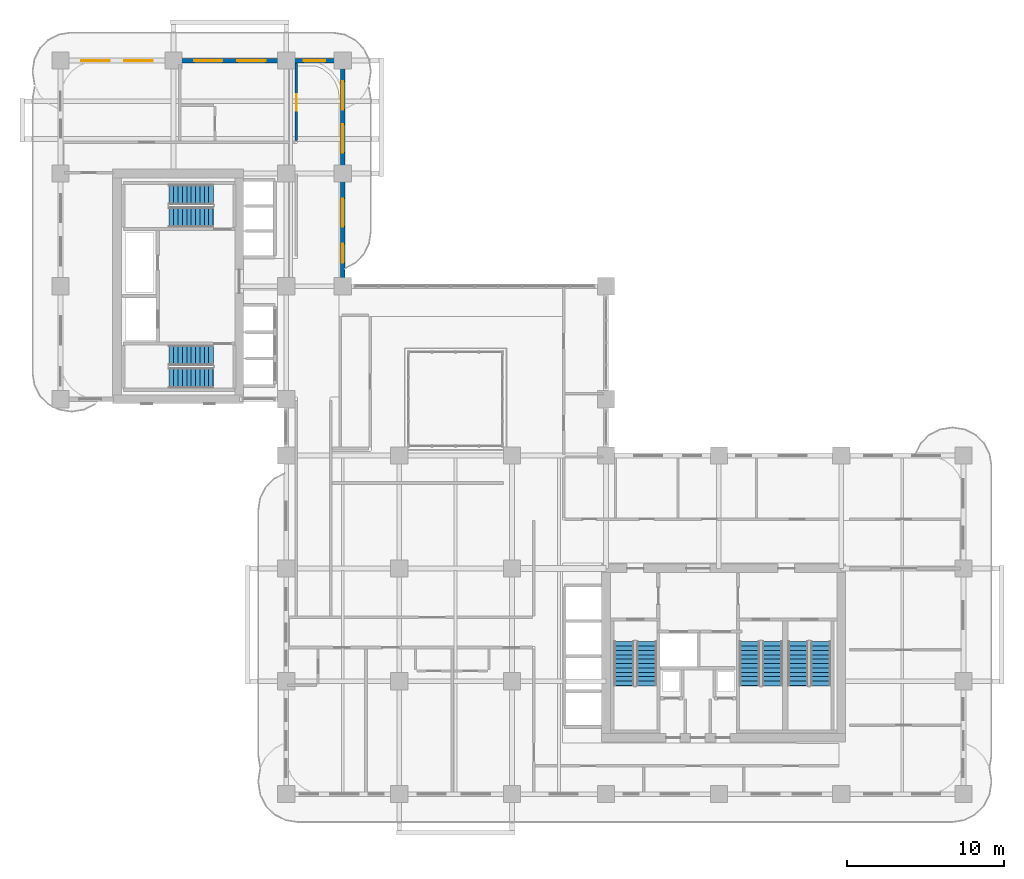
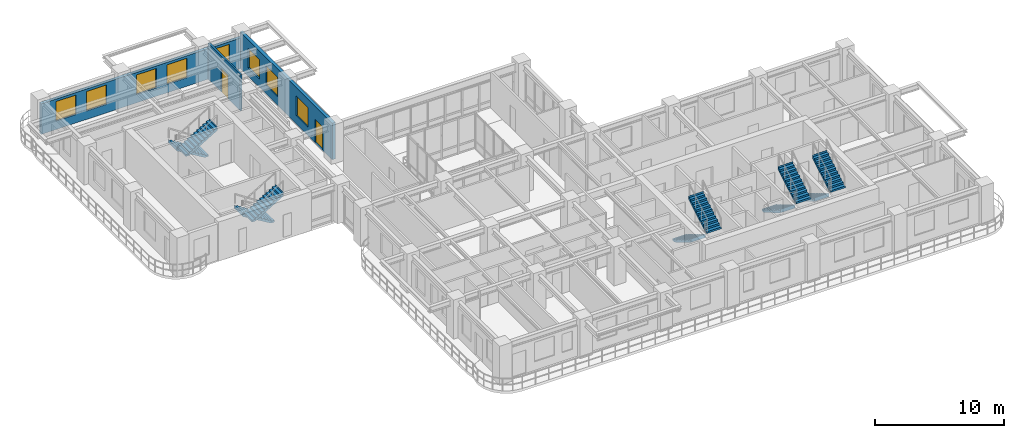
# One storey, part 17 of 22: 10 stair flights, 8 windows, 3 walls, 2 doors, 10 openings, 5 elements without a shape of their own.
"""IFC4 building model written with IfcOpenShell, lengths in metres."""

from ifc_helpers import new_model, si_unit, derived_unit, direction, frame, frame_2d, origin, place, context, subcontext, project, spatial, polyline, rectangle, outline, extrude, source, transform, mapped, material, layer, layer_set, type_object, type_shapes, element, fill, aggregate, save


model = new_model("IFC4")

# Units and contexts
model_context = context("Model", 3, precision=1e-05, world=origin(), true_north=direction((0.0, 1.0)))
body_context = subcontext(model_context, "Body", "Model", "MODEL_VIEW")
ifc_project = project(units=[si_unit("LENGTHUNIT", "METRE"), si_unit("AREAUNIT", "SQUARE_METRE"), si_unit("VOLUMEUNIT", "CUBIC_METRE"), si_unit("PLANEANGLEUNIT", "RADIAN"), si_unit("MASSUNIT", "GRAM", prefix="KILO"), si_unit("THERMODYNAMICTEMPERATUREUNIT", "KELVIN"), si_unit("POWERUNIT", "WATT"), derived_unit("THERMALTRANSMITTANCEUNIT", [(si_unit("POWERUNIT", "WATT"), 1), (si_unit("AREAUNIT", "SQUARE_METRE"), -1), (si_unit("THERMODYNAMICTEMPERATUREUNIT", "KELVIN"), -1)])], contexts=[model_context])

# Site, building, storey
site_placement = place(None, origin())
site = spatial("IfcSite", under=ifc_project, at=site_placement, CompositionType="ELEMENT")
building_placement = place(site_placement, origin())
building = spatial("IfcBuilding", under=site, at=building_placement, Name="Zahravan Archway Hotel and Residences", CompositionType="ELEMENT")
storey_placement = place(building_placement, frame((0.0, 0.0, 80.5)))
storey = spatial("IfcBuildingStorey", under=building, at=storey_placement, Name="L19", CompositionType="ELEMENT", Elevation=80.5)

# Wall, openings, windows
ifc_material_1 = material(Name="Honed Red-Ochre Sandstone & Insulated Block", Category="masonry")
ifc_layer_1 = layer(ifc_material_1, 0.280029296875, Name="Honed Red-Ochre Sandstone & Insulated Block", Category="masonry")
ifc_layer_set_1 = layer_set([ifc_layer_1], Name="Honed Red-Ochre Sandstone & Insulated Block")
wall_type_1 = type_object("IfcWallType", Name="EW-LOG-280", PredefinedType="SOLIDWALL", material=ifc_layer_set_1)
wall_1_placement = place(storey_placement, frame((0.0, 46.800048828125, 0.0), z_axis=(0.0, 0.0, 1.0), x_axis=(1.0, 0.0, 0.0)))
wall_1 = element("IfcWall", 1, at=wall_1_placement, inside=storey, type_object=wall_type_1, Name="L19 Exterior Sandstone Wall WB-N", PredefinedType="SOLIDWALL", context=body_context, shape_type="SweptSolid", body=[
    extrude(rectangle(XDim=18.0, YDim=0.280029296875, at=frame_2d((9.0, 0.0))), origin(), (0.0, 0.0, 1.0), 2.885009765625),
])
opening_1_placement = place(wall_1_placement, frame((1.324951171875, 0.0, 0.800048828125)))
opening_1 = element("IfcOpeningElement", 2, at=opening_1_placement, cuts=wall_1, Name="Opening W-02", PredefinedType="OPENING", context=body_context, shape_type="SweptSolid", body=[
    extrude(rectangle(XDim=1.800048828125, YDim=1.85009765625, at=frame_2d((0.89990234375, 0.925048828125))), frame((0.0, 0.14990234375, 0.0), z_axis=(0.0, -1.0, 0.0), x_axis=(1.0, 0.0, 0.0)), (0.0, 0.0, 1.0), 0.300048828125),
])
opening_2_placement = place(wall_1_placement, frame((4.074951171875, 0.0, 0.800048828125)))
opening_2 = element("IfcOpeningElement", 3, at=opening_2_placement, cuts=wall_1, Name="Opening W-02", PredefinedType="OPENING", context=body_context, shape_type="SweptSolid", body=[
    extrude(rectangle(XDim=1.800048828125, YDim=1.85009765625, at=frame_2d((0.89990234375, 0.925048828125))), frame((0.0, 0.14990234375, 0.0), z_axis=(0.0, -1.0, 0.0), x_axis=(1.0, 0.0, 0.0)), (0.0, 0.0, 1.0), 0.300048828125),
])
opening_3_placement = place(wall_1_placement, frame((8.52490234375, 0.0, 0.800048828125)))
opening_3 = element("IfcOpeningElement", 4, at=opening_3_placement, cuts=wall_1, Name="Opening W-02", PredefinedType="OPENING", context=body_context, shape_type="SweptSolid", body=[
    extrude(rectangle(XDim=1.800048828125, YDim=1.85009765625, at=frame_2d((0.89990234375, 0.925048828125))), frame((0.0, 0.14990234375, 0.0), z_axis=(0.0, -1.0, 0.0), x_axis=(1.0, 0.0, 0.0)), (0.0, 0.0, 1.0), 0.300048828125),
])
opening_4_placement = place(wall_1_placement, frame((11.27490234375, 0.0, 0.800048828125)))
opening_4 = element("IfcOpeningElement", 5, at=opening_4_placement, cuts=wall_1, Name="Opening W-02", PredefinedType="OPENING", context=body_context, shape_type="SweptSolid", body=[
    extrude(rectangle(XDim=1.800048828125, YDim=1.85009765625, at=frame_2d((0.89990234375, 0.925048828125))), frame((0.0, 0.14990234375, 0.0), z_axis=(0.0, -1.0, 0.0), x_axis=(1.0, 0.0, 0.0)), (0.0, 0.0, 1.0), 0.300048828125),
])
opening_5_placement = place(wall_1_placement, frame((15.5, 0.0, 0.800048828125)))
opening_5 = element("IfcOpeningElement", 6, at=opening_5_placement, cuts=wall_1, Name="Opening W-03", PredefinedType="OPENING", context=body_context, shape_type="SweptSolid", body=[
    extrude(rectangle(XDim=1.39990234375, YDim=1.85009765625, at=frame_2d((0.699951171875, 0.925048828125))), frame((0.0, 0.14990234375, 0.0), z_axis=(0.0, -1.0, 0.0), x_axis=(1.0, 0.0, 0.0)), (0.0, 0.0, 1.0), 0.300048828125),
])
ifc_material_2 = material(Name="Bronze-Anodized Thermal-Break Aluminium & Low-E Glass", Category="aluminium")
window_type_1 = type_object("IfcWindowType", Name="WIN-TWR-1400", PartitioningType="SINGLE_PANEL", PredefinedType="WINDOW", material=ifc_material_2)
shared_shape_1 = source(origin(), body_context, "Body", "SweptSolid", [
    extrude(rectangle(XDim=1.39990234375, YDim=1.85009765625, at=frame_2d((0.699951171875, 0.925048828125))), frame((0.0, 0.030029296875, 0.0), z_axis=(0.0, -1.0, 0.0), x_axis=(1.0, 0.0, 0.0)), (0.0, 0.0, 1.0), 0.06005859375),
])
type_shapes(window_type_1, [shared_shape_1])
window_1_placement = place(opening_5_placement, origin())
window_1 = element("IfcWindow", 7, at=window_1_placement, inside=storey, type_object=window_type_1, Name="L19 Loggia Window 38", OverallHeight=1.85009765625, OverallWidth=1.39990234375, PartitioningType="SINGLE_PANEL", PredefinedType="WINDOW", context=body_context, shape_type="MappedRepresentation", body=[
    mapped(shared_shape_1, transform((0.0, 0.0, 0.0), scale=1.0)),
])
fill(opening_5, window_1)
window_type_2 = type_object("IfcWindowType", Name="WIN-TWR-1800", PartitioningType="DOUBLE_PANEL_VERTICAL", PredefinedType="WINDOW", material=ifc_material_2)
shared_shape_2 = source(origin(), body_context, "Body", "SweptSolid", [
    extrude(rectangle(XDim=1.800048828125, YDim=1.85009765625, at=frame_2d((0.89990234375, 0.925048828125))), frame((0.0, 0.030029296875, 0.0), z_axis=(0.0, -1.0, 0.0), x_axis=(1.0, 0.0, 0.0)), (0.0, 0.0, 1.0), 0.06005859375),
])
type_shapes(window_type_2, [shared_shape_2])
window_2_placement = place(opening_1_placement, origin())
window_2 = element("IfcWindow", 8, at=window_2_placement, inside=storey, type_object=window_type_2, Name="L19 Loggia Window 34", OverallHeight=1.85009765625, OverallWidth=1.800048828125, PartitioningType="DOUBLE_PANEL_VERTICAL", PredefinedType="WINDOW", context=body_context, shape_type="MappedRepresentation", body=[
    mapped(shared_shape_2, transform((0.0, 0.0, 0.0), scale=1.0)),
])
fill(opening_1, window_2)
window_3_placement = place(opening_2_placement, origin())
window_3 = element("IfcWindow", 9, at=window_3_placement, inside=storey, type_object=window_type_2, Name="L19 Loggia Window 35", OverallHeight=1.85009765625, OverallWidth=1.800048828125, PartitioningType="DOUBLE_PANEL_VERTICAL", PredefinedType="WINDOW", context=body_context, shape_type="MappedRepresentation", body=[
    mapped(shared_shape_2, transform((0.0, 0.0, 0.0), scale=1.0)),
])
fill(opening_2, window_3)
window_4_placement = place(opening_3_placement, origin())
window_4 = element("IfcWindow", 10, at=window_4_placement, inside=storey, type_object=window_type_2, Name="L19 Loggia Window 36", OverallHeight=1.85009765625, OverallWidth=1.800048828125, PartitioningType="DOUBLE_PANEL_VERTICAL", PredefinedType="WINDOW", context=body_context, shape_type="MappedRepresentation", body=[
    mapped(shared_shape_2, transform((0.0, 0.0, 0.0), scale=1.0)),
])
fill(opening_3, window_4)
window_5_placement = place(opening_4_placement, origin())
window_5 = element("IfcWindow", 11, at=window_5_placement, inside=storey, type_object=window_type_2, Name="L19 Loggia Window 37", OverallHeight=1.85009765625, OverallWidth=1.800048828125, PartitioningType="DOUBLE_PANEL_VERTICAL", PredefinedType="WINDOW", context=body_context, shape_type="MappedRepresentation", body=[
    mapped(shared_shape_2, transform((0.0, 0.0, 0.0), scale=1.0)),
])
fill(opening_4, window_5)

# Wall, openings, door, windows
wall_2_placement = place(storey_placement, frame((18.0, 32.39990234375, 0.0), z_axis=(0.0, 0.0, 1.0), x_axis=(0.0, 1.0, 0.0)))
wall_2 = element("IfcWall", 12, at=wall_2_placement, inside=storey, type_object=wall_type_1, Name="L19 Exterior Sandstone Wall WB-EU", PredefinedType="SOLIDWALL", context=body_context, shape_type="SweptSolid", body=[
    extrude(rectangle(XDim=14.35009765625, YDim=0.280029296875, at=frame_2d((7.175048828125, 0.0))), origin(), (0.0, 0.0, 1.0), 3.449951171875),
])
opening_6_placement = place(wall_2_placement, frame((1.5, 0.0, 0.0)))
opening_6 = element("IfcOpeningElement", 13, at=opening_6_placement, cuts=wall_2, Name="Opening ED-BL1", PredefinedType="OPENING", context=body_context, shape_type="SweptSolid", body=[
    extrude(rectangle(XDim=1.199951171875, YDim=2.199951171875, at=frame_2d((0.60009765625, 1.10009765625))), frame((0.0, 0.14990234375, 0.0), z_axis=(0.0, -1.0, 0.0), x_axis=(1.0, 0.0, 0.0)), (0.0, 0.0, 1.0), 0.300048828125),
])
opening_7_placement = place(wall_2_placement, frame((3.800048828125, 0.0, 0.800048828125)))
opening_7 = element("IfcOpeningElement", 14, at=opening_7_placement, cuts=wall_2, Name="Opening W-02", PredefinedType="OPENING", context=body_context, shape_type="SweptSolid", body=[
    extrude(rectangle(XDim=1.800048828125, YDim=1.85009765625, at=frame_2d((0.89990234375, 0.925048828125))), frame((0.0, 0.14990234375, 0.0), z_axis=(0.0, -1.0, 0.0), x_axis=(1.0, 0.0, 0.0)), (0.0, 0.0, 1.0), 0.300048828125),
])
opening_8_placement = place(wall_2_placement, frame((8.52490234375, 0.0, 0.800048828125)))
opening_8 = element("IfcOpeningElement", 15, at=opening_8_placement, cuts=wall_2, Name="Opening W-02", PredefinedType="OPENING", context=body_context, shape_type="SweptSolid", body=[
    extrude(rectangle(XDim=1.800048828125, YDim=1.85009765625, at=frame_2d((0.89990234375, 0.925048828125))), frame((0.0, 0.14990234375, 0.0), z_axis=(0.0, -1.0, 0.0), x_axis=(1.0, 0.0, 0.0)), (0.0, 0.0, 1.0), 0.300048828125),
])
opening_9_placement = place(wall_2_placement, frame((11.27490234375, 0.0, 0.800048828125)))
opening_9 = element("IfcOpeningElement", 16, at=opening_9_placement, cuts=wall_2, Name="Opening W-02", PredefinedType="OPENING", context=body_context, shape_type="SweptSolid", body=[
    extrude(rectangle(XDim=1.800048828125, YDim=1.85009765625, at=frame_2d((0.89990234375, 0.925048828125))), frame((0.0, 0.14990234375, 0.0), z_axis=(0.0, -1.0, 0.0), x_axis=(1.0, 0.0, 0.0)), (0.0, 0.0, 1.0), 0.300048828125),
])
ifc_material_3 = material(Name="Bronze-Anodized Glazed Aluminium", Category="aluminium")
door_type_1 = type_object("IfcDoorType", Name="ED-BALC-1200", OperationType="SLIDING_TO_LEFT", PredefinedType="DOOR", material=ifc_material_3)
shared_shape_3 = source(origin(), body_context, "Body", "SweptSolid", [
    extrude(rectangle(XDim=1.199951171875, YDim=2.199951171875, at=frame_2d((0.60009765625, 1.10009765625))), frame((0.0, 0.02490234375, 0.0), z_axis=(0.0, -1.0, 0.0), x_axis=(1.0, 0.0, 0.0)), (0.0, 0.0, 1.0), 0.050048828125),
])
type_shapes(door_type_1, [shared_shape_3])
door_1_placement = place(opening_6_placement, origin())
door_1 = element("IfcDoor", 17, at=door_1_placement, inside=storey, type_object=door_type_1, Name="L19 Outdoor Access Sliding Door (SLB-BAL-L19-EB)", OperationType="SLIDING_TO_LEFT", OverallHeight=2.199951171875, OverallWidth=1.199951171875, PredefinedType="DOOR", context=body_context, shape_type="MappedRepresentation", body=[
    mapped(shared_shape_3, transform((0.0, 0.0, 0.0), scale=1.0)),
])
fill(opening_6, door_1)
window_6_placement = place(opening_7_placement, origin())
window_6 = element("IfcWindow", 18, at=window_6_placement, inside=storey, type_object=window_type_2, Name="L19 Loggia Window 39", OverallHeight=1.85009765625, OverallWidth=1.800048828125, PartitioningType="DOUBLE_PANEL_VERTICAL", PredefinedType="WINDOW", context=body_context, shape_type="MappedRepresentation", body=[
    mapped(shared_shape_2, transform((0.0, 0.0, 0.0), scale=1.0)),
])
fill(opening_7, window_6)
window_7_placement = place(opening_8_placement, origin())
window_7 = element("IfcWindow", 19, at=window_7_placement, inside=storey, type_object=window_type_2, Name="L19 Loggia Window 40", OverallHeight=1.85009765625, OverallWidth=1.800048828125, PartitioningType="DOUBLE_PANEL_VERTICAL", PredefinedType="WINDOW", context=body_context, shape_type="MappedRepresentation", body=[
    mapped(shared_shape_2, transform((0.0, 0.0, 0.0), scale=1.0)),
])
fill(opening_8, window_7)
window_8_placement = place(opening_9_placement, origin())
window_8 = element("IfcWindow", 20, at=window_8_placement, inside=storey, type_object=window_type_2, Name="L19 Loggia Window 41", OverallHeight=1.85009765625, OverallWidth=1.800048828125, PartitioningType="DOUBLE_PANEL_VERTICAL", PredefinedType="WINDOW", context=body_context, shape_type="MappedRepresentation", body=[
    mapped(shared_shape_2, transform((0.0, 0.0, 0.0), scale=1.0)),
])
fill(opening_9, window_8)

# Wall, opening, door
ifc_material_4 = material(Name="Fire-Rated Gypsum & Concrete Block", Category="concrete")
ifc_layer_2 = layer(ifc_material_4, 0.159912109375, Name="Fire-Rated Gypsum & Concrete Block", Category="concrete")
ifc_layer_set_2 = layer_set([ifc_layer_2], Name="Fire-Rated Gypsum & Concrete Block")
wall_type_2 = type_object("IfcWallType", Name="PW-CORR-160", PredefinedType="PARTITIONING", material=ifc_layer_set_2)
wall_3_placement = place(storey_placement, frame((15.050048828125, 41.68994140625, 0.0), z_axis=(0.0, 0.0, 1.0), x_axis=(0.0, 1.0, 0.0)))
wall_3 = element("IfcWall", 21, at=wall_3_placement, inside=storey, type_object=wall_type_2, Name="L19 Partition WBN-CU", PredefinedType="PARTITIONING", context=body_context, shape_type="SweptSolid", body=[
    extrude(rectangle(XDim=4.962158203125, YDim=0.159912109375, at=frame_2d((2.48095703125, 0.0))), origin(), (0.0, 0.0, 1.0), 3.449951171875),
])
opening_10_placement = place(wall_3_placement, frame((1.909912109375, 0.0, 0.0)))
opening_10 = element("IfcOpeningElement", 22, at=opening_10_placement, cuts=wall_3, Name="Opening D-U1", PredefinedType="OPENING", context=body_context, shape_type="SweptSolid", body=[
    extrude(rectangle(XDim=1.050048828125, YDim=2.25, at=frame_2d((0.52490234375, 1.125))), frame((0.0, 0.08984375, 0.0), z_axis=(0.0, -1.0, 0.0), x_axis=(1.0, 0.0, 0.0)), (0.0, 0.0, 1.0), 0.179931640625),
])
ifc_material_5 = material(Name="Hardwood Veneer Timber", Category="wood")
door_type_2 = type_object("IfcDoorType", Name="ID-UNIT-1050", OperationType="NOTDEFINED", PredefinedType="DOOR", material=ifc_material_5)
shared_shape_4 = source(origin(), body_context, "Body", "SweptSolid", [
    extrude(rectangle(XDim=1.050048828125, YDim=2.25, at=frame_2d((0.52490234375, 1.125))), frame((0.0, 0.02490234375, 0.0), z_axis=(0.0, -1.0, 0.0), x_axis=(1.0, 0.0, 0.0)), (0.0, 0.0, 1.0), 0.050048828125),
])
type_shapes(door_type_2, [shared_shape_4])
door_2_placement = place(opening_10_placement, origin())
door_2 = element("IfcDoor", 23, at=door_2_placement, inside=storey, type_object=door_type_2, Name="L19 Hotel Guestroom 78 Entrance Door", OperationType="SINGLE_SWING_RIGHT", OverallHeight=2.25, OverallWidth=1.050048828125, PredefinedType="DOOR", context=body_context, shape_type="MappedRepresentation", body=[
    mapped(shared_shape_4, transform((0.0, 0.0, 0.0), scale=1.0)),
])
fill(opening_10, door_2)

# Stair, stair flights
ifc_material_6 = material(Name="Concrete C50/60", Category="concrete")
stair_type = type_object("IfcStairType", Name="STR-CORE-1300", PredefinedType="HALF_TURN_STAIR", material=ifc_material_6)
stair_1_placement = place(storey_placement, origin())
stair_1 = element("IfcStair", 24, at=stair_1_placement, inside=storey, type_object=stair_type, Name="L19 Core A Exit Stair 1", PredefinedType="HALF_TURN_STAIR")
ifc_layer_3 = layer(ifc_material_6, 0.199951171875, Name="Concrete C50/60", Category="concrete")
ifc_layer_set_3 = layer_set([ifc_layer_3], Name="Concrete C50/60")
stair_flight_type = type_object("IfcStairFlightType", Name="SFL-CORE-1300", PredefinedType="STRAIGHT", material=ifc_layer_set_3)
shared_shape_5 = source(origin(), body_context, "Body", "SweptSolid", [
    extrude(outline(polyline([(-0.01611328125, 0.0), (-0.01611328125, 0.168212890625), (0.280029296875, 0.168212890625), (0.280029296875, 0.33642578125), (0.56005859375, 0.33642578125), (0.56005859375, 0.504638671875), (0.840087890625, 0.504638671875), (0.840087890625, 0.672607421875), (1.1201171875, 0.672607421875), (1.1201171875, 0.8408203125), (1.39990234375, 0.8408203125), (1.39990234375, 1.009033203125), (1.679931640625, 1.009033203125), (1.679931640625, 1.17724609375), (1.9599609375, 1.17724609375), (1.9599609375, 1.345458984375), (2.239990234375, 1.345458984375), (2.239990234375, 1.513671875), (2.52001953125, 1.513671875), (2.52001953125, 1.681884765625), (2.800048828125, 1.681884765625), (2.800048828125, 1.85009765625), (2.816162109375, 1.85009765625), (2.816162109375, 1.5068359375), (0.291015625, 0.0), (-0.01611328125, 0.0)])), frame((0.0, 0.64990234375, 0.0), z_axis=(0.0, -1.0, 0.0), x_axis=(1.0, 0.0, 0.0)), (0.0, 0.0, 1.0), 1.300048828125),
])
stair_flight_1_placement = place(storey_placement, frame((35.949951171875, 9.72998046875, 0.0), z_axis=(0.0, 0.0, 1.0), x_axis=(0.0, -1.0, 0.0)))
stair_flight_1 = element("IfcStairFlight", 25, at=stair_flight_1_placement, type_object=stair_flight_type, Name="ST-A1 flight 1", NumberOfRisers=11, NumberOfTreads=10, PredefinedType="STRAIGHT", RiserHeight=0.168181818, TreadLength=0.28, context=body_context, shape_type="MappedRepresentation", body=[
    mapped(shared_shape_5, transform((0.0, 0.0, 0.0), scale=1.0)),
])
stair_flight_2_placement = place(storey_placement, frame((37.389892578125, 6.929931640625, 1.85009765625), z_axis=(0.0, 0.0, 1.0), x_axis=(0.0, 1.0, 0.0)))
stair_flight_2 = element("IfcStairFlight", 26, at=stair_flight_2_placement, type_object=stair_flight_type, Name="ST-A1 flight 2", NumberOfRisers=11, NumberOfTreads=10, PredefinedType="STRAIGHT", RiserHeight=0.168181818, TreadLength=0.28, context=body_context, shape_type="MappedRepresentation", body=[
    mapped(shared_shape_5, transform((0.0, 0.0, 0.0), scale=1.0)),
])
aggregate(stair_1, [stair_flight_1, stair_flight_2])

stair_2_placement = place(storey_placement, origin())
stair_2 = element("IfcStair", 27, at=stair_2_placement, inside=storey, type_object=stair_type, Name="L19 Core A Exit Stair 2", PredefinedType="HALF_TURN_STAIR")
stair_flight_3_placement = place(storey_placement, frame((43.969970703125, 9.72998046875, 0.0), z_axis=(0.0, 0.0, 1.0), x_axis=(0.0, -1.0, 0.0)))
stair_flight_3 = element("IfcStairFlight", 28, at=stair_flight_3_placement, type_object=stair_flight_type, Name="ST-A2 flight 1", NumberOfRisers=11, NumberOfTreads=10, PredefinedType="STRAIGHT", RiserHeight=0.168181818, TreadLength=0.28, context=body_context, shape_type="MappedRepresentation", body=[
    mapped(shared_shape_5, transform((0.0, 0.0, 0.0), scale=1.0)),
])
stair_flight_4_placement = place(storey_placement, frame((45.409912109375, 6.929931640625, 1.85009765625), z_axis=(0.0, 0.0, 1.0), x_axis=(0.0, 1.0, 0.0)))
stair_flight_4 = element("IfcStairFlight", 29, at=stair_flight_4_placement, type_object=stair_flight_type, Name="ST-A2 flight 2", NumberOfRisers=11, NumberOfTreads=10, PredefinedType="STRAIGHT", RiserHeight=0.168181818, TreadLength=0.28, context=body_context, shape_type="MappedRepresentation", body=[
    mapped(shared_shape_5, transform((0.0, 0.0, 0.0), scale=1.0)),
])
aggregate(stair_2, [stair_flight_3, stair_flight_4])

stair_3_placement = place(storey_placement, origin())
stair_3 = element("IfcStair", 30, at=stair_3_placement, inside=storey, type_object=stair_type, Name="L19 Core A Exit Stair 3", PredefinedType="HALF_TURN_STAIR")
stair_flight_5_placement = place(storey_placement, frame((47.050048828125, 9.72998046875, 0.0), z_axis=(0.0, 0.0, 1.0), x_axis=(0.0, -1.0, 0.0)))
stair_flight_5 = element("IfcStairFlight", 31, at=stair_flight_5_placement, type_object=stair_flight_type, Name="ST-A3 flight 1", NumberOfRisers=11, NumberOfTreads=10, PredefinedType="STRAIGHT", RiserHeight=0.168181818, TreadLength=0.28, context=body_context, shape_type="MappedRepresentation", body=[
    mapped(shared_shape_5, transform((0.0, 0.0, 0.0), scale=1.0)),
])
stair_flight_6_placement = place(storey_placement, frame((48.489990234375, 6.929931640625, 1.85009765625), z_axis=(0.0, 0.0, 1.0), x_axis=(0.0, 1.0, 0.0)))
stair_flight_6 = element("IfcStairFlight", 32, at=stair_flight_6_placement, type_object=stair_flight_type, Name="ST-A3 flight 2", NumberOfRisers=11, NumberOfTreads=10, PredefinedType="STRAIGHT", RiserHeight=0.168181818, TreadLength=0.28, context=body_context, shape_type="MappedRepresentation", body=[
    mapped(shared_shape_5, transform((0.0, 0.0, 0.0), scale=1.0)),
])
aggregate(stair_3, [stair_flight_5, stair_flight_6])

stair_4_placement = place(storey_placement, origin())
stair_4 = element("IfcStair", 33, at=stair_4_placement, inside=storey, type_object=stair_type, Name="L19 Core B Exit Stair 1", PredefinedType="HALF_TURN_STAIR")
stair_flight_7_placement = place(storey_placement, frame((9.72998046875, 27.989990234375, 0.0), z_axis=(0.0, 0.0, 1.0), x_axis=(-1.0, 0.0, 0.0)))
stair_flight_7 = element("IfcStairFlight", 34, at=stair_flight_7_placement, type_object=stair_flight_type, Name="ST-B1 flight 1", NumberOfRisers=11, NumberOfTreads=10, PredefinedType="STRAIGHT", RiserHeight=0.168181818, TreadLength=0.28, context=body_context, shape_type="MappedRepresentation", body=[
    mapped(shared_shape_5, transform((0.0, 0.0, 0.0), scale=1.0)),
])
stair_flight_8_placement = place(storey_placement, frame((6.929931640625, 26.550048828125, 1.85009765625), z_axis=(0.0, 0.0, 1.0), x_axis=(1.0, 0.0, 0.0)))
stair_flight_8 = element("IfcStairFlight", 35, at=stair_flight_8_placement, type_object=stair_flight_type, Name="ST-B1 flight 2", NumberOfRisers=11, NumberOfTreads=10, PredefinedType="STRAIGHT", RiserHeight=0.168181818, TreadLength=0.28, context=body_context, shape_type="MappedRepresentation", body=[
    mapped(shared_shape_5, transform((0.0, 0.0, 0.0), scale=1.0)),
])
aggregate(stair_4, [stair_flight_7, stair_flight_8])

stair_5_placement = place(storey_placement, origin())
stair_5 = element("IfcStair", 36, at=stair_5_placement, inside=storey, type_object=stair_type, Name="L19 Core B Exit Stair 2", PredefinedType="HALF_TURN_STAIR")
stair_flight_9_placement = place(storey_placement, frame((9.72998046875, 38.25, 0.0), z_axis=(0.0, 0.0, 1.0), x_axis=(-1.0, 0.0, 0.0)))
stair_flight_9 = element("IfcStairFlight", 37, at=stair_flight_9_placement, type_object=stair_flight_type, Name="ST-B2 flight 1", NumberOfRisers=11, NumberOfTreads=10, PredefinedType="STRAIGHT", RiserHeight=0.168181818, TreadLength=0.28, context=body_context, shape_type="MappedRepresentation", body=[
    mapped(shared_shape_5, transform((0.0, 0.0, 0.0), scale=1.0)),
])
stair_flight_10_placement = place(storey_placement, frame((6.929931640625, 36.81005859375, 1.85009765625), z_axis=(0.0, 0.0, 1.0), x_axis=(1.0, 0.0, 0.0)))
stair_flight_10 = element("IfcStairFlight", 38, at=stair_flight_10_placement, type_object=stair_flight_type, Name="ST-B2 flight 2", NumberOfRisers=11, NumberOfTreads=10, PredefinedType="STRAIGHT", RiserHeight=0.168181818, TreadLength=0.28, context=body_context, shape_type="MappedRepresentation", body=[
    mapped(shared_shape_5, transform((0.0, 0.0, 0.0), scale=1.0)),
])
aggregate(stair_5, [stair_flight_9, stair_flight_10])

save(model, "model.ifc")
